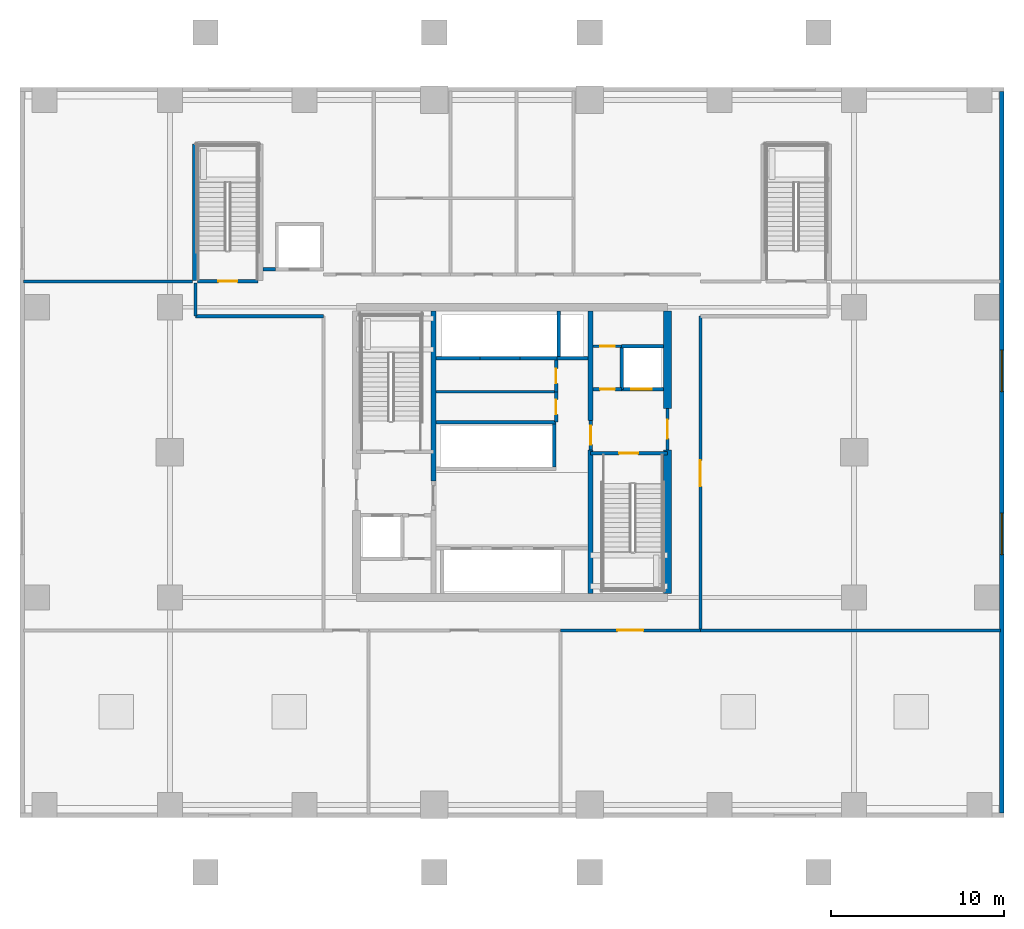
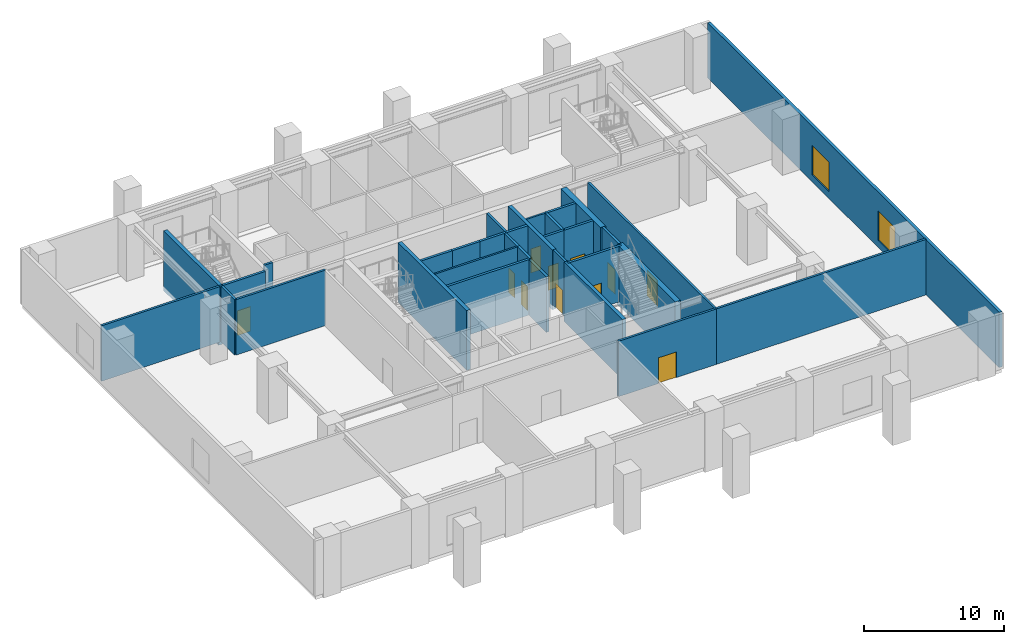
# One storey, part 3 of 12: 33 walls, 11 doors, 2 windows, 13 openings.
"""IFC4 building model written with IfcOpenShell, lengths in metres."""

from ifc_helpers import new_model, si_unit, direction, frame, frame_2d, origin, place, context, subcontext, project, spatial, rectangle, extrude, source, transform, mapped, material, layer, layer_set, type_object, element, fill, save


model = new_model("IFC4")

# Units and contexts
model_context = context("Model", 3, precision=1e-05, world=origin(), true_north=direction((0.0, 1.0)))
body_context = subcontext(model_context, "Body", "Model", "MODEL_VIEW")
ifc_project = project(units=[si_unit("LENGTHUNIT", "METRE"), si_unit("AREAUNIT", "SQUARE_METRE"), si_unit("VOLUMEUNIT", "CUBIC_METRE"), si_unit("PLANEANGLEUNIT", "RADIAN"), si_unit("MASSUNIT", "GRAM", prefix="KILO")], contexts=[model_context])

# Site, building, storey
site_placement = place(None, origin())
site = spatial("IfcSite", under=ifc_project, at=site_placement, CompositionType="ELEMENT")
building_placement = place(site_placement, origin())
building = spatial("IfcBuilding", under=site, at=building_placement, Name="Serunith Strait Residences", CompositionType="ELEMENT")
storey_placement = place(building_placement, frame((0.0, 0.0, 15.300048828125)))
storey = spatial("IfcBuildingStorey", under=building, at=storey_placement, Name="L03", CompositionType="ELEMENT", Elevation=15.300048828125)

# Wall, openings, windows
ifc_material_1 = material(Name="Pale-Silver Aluminium Terracotta-Backed Wall", Category="masonry")
ifc_layer_1 = layer(ifc_material_1, 0.25, Name="Pale-Silver Aluminium Terracotta-Backed Wall")
ifc_layer_set_1 = layer_set([ifc_layer_1], Name="Pale-Silver Aluminium Terracotta-Backed Wall")
wall_type_1 = type_object("IfcWallType", Name="EW-POD-250", PredefinedType="ELEMENTEDWALL", material=ifc_layer_set_1)
wall_1_placement = place(storey_placement, frame((60.75, 4.324951171875, 0.0), z_axis=(0.0, 0.0, 1.0), x_axis=(0.0, 1.0, 0.0)))
wall_1 = element("IfcWall", 1, at=wall_1_placement, inside=storey, type_object=wall_type_1, Name="L03 Podium Envelope Wall 2", PredefinedType="ELEMENTEDWALL", context=body_context, shape_type="SweptSolid", body=[
    extrude(rectangle(XDim=41.75, YDim=0.25, at=frame_2d((20.875, 0.0))), origin(), (0.0, 0.0, 1.0), 4.8349609375),
])
opening_1_placement = place(wall_1_placement, frame((14.952880859375, 0.0, 0.60009765625)))
opening_1 = element("IfcOpeningElement", 2, at=opening_1_placement, cuts=wall_1, Name="Opening W-08", PredefinedType="OPENING", context=body_context, shape_type="SweptSolid", body=[
    extrude(rectangle(XDim=2.39990234375, YDim=2.60009765625, at=frame_2d((1.199951171875, 1.300048828125))), frame((0.0, 0.135009765625, 0.0), z_axis=(0.0, -1.0, 0.0), x_axis=(1.0, 0.0, 0.0)), (0.0, 0.0, 1.0), 0.27001953125),
])
opening_2_placement = place(wall_1_placement, frame((24.39697265625, 0.0, 0.60009765625)))
opening_2 = element("IfcOpeningElement", 3, at=opening_2_placement, cuts=wall_1, Name="Opening W-08", PredefinedType="OPENING", context=body_context, shape_type="SweptSolid", body=[
    extrude(rectangle(XDim=2.39990234375, YDim=2.60009765625, at=frame_2d((1.199951171875, 1.300048828125))), frame((0.0, 0.135009765625, 0.0), z_axis=(0.0, -1.0, 0.0), x_axis=(1.0, 0.0, 0.0)), (0.0, 0.0, 1.0), 0.27001953125),
])
ifc_material_2 = material(Name="Podium Club Operable Window Glass", Category="glass")
window_type = type_object("IfcWindowType", Name="WIN-POD2", PartitioningType="DOUBLE_PANEL_VERTICAL", PredefinedType="WINDOW", material=ifc_material_2)
shared_shape_1 = source(origin(), body_context, "Body", "SweptSolid", [
    extrude(rectangle(XDim=2.39990234375, YDim=2.60009765625, at=frame_2d((1.199951171875, 1.300048828125))), frame((0.0, 0.030029296875, 0.0), z_axis=(0.0, -1.0, 0.0), x_axis=(1.0, 0.0, 0.0)), (0.0, 0.0, 1.0), 0.06005859375),
])
window_1_placement = place(opening_1_placement, origin())
window_1 = element("IfcWindow", 4, at=window_1_placement, inside=storey, type_object=window_type, Name="L03 Podium Window 2A", OverallHeight=2.60009765625, OverallWidth=2.39990234375, PartitioningType="SINGLE_PANEL", PredefinedType="WINDOW", context=body_context, shape_type="MappedRepresentation", body=[
    mapped(shared_shape_1, transform((0.0, 0.0, 0.0), scale=1.0)),
])
fill(opening_1, window_1)
window_2_placement = place(opening_2_placement, origin())
window_2 = element("IfcWindow", 5, at=window_2_placement, inside=storey, type_object=window_type, Name="L03 Podium Window 2B", OverallHeight=2.60009765625, OverallWidth=2.39990234375, PartitioningType="SINGLE_PANEL", PredefinedType="WINDOW", context=body_context, shape_type="MappedRepresentation", body=[
    mapped(shared_shape_1, transform((0.0, 0.0, 0.0), scale=1.0)),
])
fill(opening_2, window_2)

# Wall, opening, door
ifc_material_3 = material(Name="Fire-rated masonry service closet wall", Category="masonry")
ifc_layer_2 = layer(ifc_material_3, 0.14990234375, Name="Fire-rated masonry service closet wall")
ifc_layer_set_2 = layer_set([ifc_layer_2], Name="Fire-rated masonry service closet wall")
wall_type_2 = type_object("IfcWallType", Name="IW-BOH-150", PredefinedType="PARTITIONING", material=ifc_layer_set_2)
wall_2_placement = place(storey_placement, frame((37.10009765625, 31.35009765625, 0.0), z_axis=(0.0, 0.0, 1.0), x_axis=(1.0, 0.0, 0.0)))
wall_2 = element("IfcWall", 6, at=wall_2_placement, inside=storey, type_object=wall_type_2, Name="L03 Partition Wall 013", PredefinedType="PARTITIONING", context=body_context, shape_type="SweptSolid", body=[
    extrude(rectangle(XDim=1.64794921875, YDim=0.14990234375, at=frame_2d((0.823974609375, 0.0))), origin(), (0.0, 0.0, 1.0), 4.849853515625),
])
opening_3_placement = place(wall_2_placement, frame((0.39892578125, 0.0, 0.0)))
opening_3 = element("IfcOpeningElement", 7, at=opening_3_placement, cuts=wall_2, Name="Opening FD-850", PredefinedType="OPENING", context=body_context, shape_type="SweptSolid", body=[
    extrude(rectangle(XDim=0.85009765625, YDim=2.10009765625, at=frame_2d((0.425048828125, 1.050048828125))), frame((0.0, 0.0849609375, 0.0), z_axis=(0.0, -1.0, 0.0), x_axis=(1.0, 0.0, 0.0)), (0.0, 0.0, 1.0), 0.169921875),
])
ifc_material_4 = material(Name="Powder-coated steel service closet door", Category="steel")
door_type_1 = type_object("IfcDoorType", Name="FD-BOH-850", OperationType="NOTDEFINED", PredefinedType="DOOR", material=ifc_material_4)
shared_shape_2 = source(origin(), body_context, "Body", "SweptSolid", [
    extrude(rectangle(XDim=0.85009765625, YDim=2.10009765625, at=frame_2d((0.425048828125, 1.050048828125))), frame((0.0, 0.02490234375, 0.0), z_axis=(0.0, -1.0, 0.0), x_axis=(1.0, 0.0, 0.0)), (0.0, 0.0, 1.0), 0.050048828125),
])
door_1_placement = place(opening_3_placement, origin())
door_1 = element("IfcDoor", 8, at=door_1_placement, inside=storey, type_object=door_type_1, Name="L03 Refuse Store Door", OperationType="SINGLE_SWING_RIGHT", OverallHeight=2.10009765625, OverallWidth=0.85009765625, PredefinedType="DOOR", context=body_context, shape_type="MappedRepresentation", body=[
    mapped(shared_shape_2, transform((0.0, 0.0, 0.0), scale=1.0)),
])
fill(opening_3, door_1)

# Walls
wall_3_placement = place(storey_placement, frame((28.0, 28.699951171875, 0.0), z_axis=(0.0, 0.0, 1.0), x_axis=(1.0, 0.0, 0.0)))
element("IfcWall", 9, at=wall_3_placement, inside=storey, type_object=wall_type_2, Name="L03 Partition Wall 016", PredefinedType="PARTITIONING", context=body_context, shape_type="SweptSolid", body=[
    extrude(rectangle(XDim=6.949951171875, YDim=0.14990234375, at=frame_2d((3.47509765625, 0.0))), origin(), (0.0, 0.0, 1.0), 4.849853515625),
])
ifc_material_5 = material(Name="Fire-rated acoustic gypsum partition")
ifc_layer_3 = layer(ifc_material_5, 0.179931640625, Name="Fire-rated acoustic gypsum partition")
ifc_layer_set_3 = layer_set([ifc_layer_3], Name="Fire-rated acoustic gypsum partition")
wall_type_3 = type_object("IfcWallType", Name="IW-CORR-180", PredefinedType="PARTITIONING", material=ifc_layer_set_3)
wall_4_placement = place(storey_placement, frame((43.300048828125, 14.89990234375, 0.0), z_axis=(0.0, 0.0, 1.0), x_axis=(1.0, 0.0, 0.0)))
element("IfcWall", 10, at=wall_4_placement, inside=storey, type_object=wall_type_3, Name="L03 Partition Wall 018", PredefinedType="PARTITIONING", context=body_context, shape_type="SweptSolid", body=[
    extrude(rectangle(XDim=17.367919921875, YDim=0.179931640625, at=frame_2d((8.68408203125, 0.0))), origin(), (0.0, 0.0, 1.0), 4.849853515625),
])
wall_5_placement = place(storey_placement, frame((4.132080078125, 35.080078125, 0.0), z_axis=(0.0, 0.0, 1.0), x_axis=(1.0, 0.0, 0.0)))
element("IfcWall", 11, at=wall_5_placement, inside=storey, type_object=wall_type_3, Name="L03 Partition Wall 019", PredefinedType="PARTITIONING", context=body_context, shape_type="SweptSolid", body=[
    extrude(rectangle(XDim=9.767822265625, YDim=0.179931640625, at=frame_2d((4.8837890625, 0.0))), origin(), (0.0, 0.0, 1.0), 4.849853515625),
])
wall_6_placement = place(storey_placement, frame((14.080078125, 33.080078125, 0.0), z_axis=(0.0, 0.0, 1.0), x_axis=(1.0, 0.0, 0.0)))
element("IfcWall", 12, at=wall_6_placement, inside=storey, type_object=wall_type_3, Name="L03 Partition Wall 020", PredefinedType="PARTITIONING", context=body_context, shape_type="SweptSolid", body=[
    extrude(rectangle(XDim=7.419921875, YDim=0.179931640625, at=frame_2d((3.7099609375, 0.0))), origin(), (0.0, 0.0, 1.0), 4.849853515625),
])
wall_7_placement = place(storey_placement, frame((18.0, 35.800048828125, 0.0), z_axis=(0.0, 0.0, 1.0), x_axis=(1.0, 0.0, 0.0)))
element("IfcWall", 13, at=wall_7_placement, inside=storey, type_object=wall_type_3, Name="L03 Partition Wall 021", PredefinedType="PARTITIONING", context=body_context, shape_type="SweptSolid", body=[
    extrude(rectangle(XDim=0.697998046875, YDim=0.179931640625, at=frame_2d((0.34912109375, 0.0))), origin(), (0.0, 0.0, 1.0), 4.849853515625),
])
wall_8_placement = place(storey_placement, frame((14.080078125, 33.080078125, 0.0), z_axis=(0.0, 0.0, 1.0), x_axis=(0.0, 1.0, 0.0)))
element("IfcWall", 14, at=wall_8_placement, inside=storey, type_object=wall_type_3, Name="L03 Partition Wall 025", PredefinedType="PARTITIONING", context=body_context, shape_type="SweptSolid", body=[
    extrude(rectangle(XDim=1.919921875, YDim=0.179931640625, at=frame_2d((0.9599609375, 0.0))), origin(), (0.0, 0.0, 1.0), 4.849853515625),
])

# Wall, opening, door
wall_9_placement = place(storey_placement, frame((43.300048828125, 14.89990234375, 0.0), z_axis=(0.0, 0.0, 1.0), x_axis=(0.0, 1.0, 0.0)))
wall_9 = element("IfcWall", 15, at=wall_9_placement, inside=storey, type_object=wall_type_3, Name="L03 Partition Wall 028", PredefinedType="PARTITIONING", context=body_context, shape_type="SweptSolid", body=[
    extrude(rectangle(XDim=18.18017578125, YDim=0.179931640625, at=frame_2d((9.090087890625, 0.0))), origin(), (0.0, 0.0, 1.0), 4.849853515625),
])
opening_4_placement = place(wall_9_placement, frame((8.340087890625, 0.0, 0.0)))
opening_4 = element("IfcOpeningElement", 16, at=opening_4_placement, cuts=wall_9, Name="Opening D-POD1500", PredefinedType="OPENING", context=body_context, shape_type="SweptSolid", body=[
    extrude(rectangle(XDim=1.5, YDim=2.25, at=frame_2d((0.75, 1.125))), frame((0.0, 0.10009765625, 0.0), z_axis=(0.0, -1.0, 0.0), x_axis=(1.0, 0.0, 0.0)), (0.0, 0.0, 1.0), 0.199951171875),
])
ifc_material_6 = material(Name="Pale-champagne aluminium glazed double door", Category="aluminium")
door_type_2 = type_object("IfcDoorType", Name="ID-POD-1500", OperationType="DOUBLE_DOOR_SINGLE_SWING", PredefinedType="DOOR", material=ifc_material_6)
shared_shape_3 = source(origin(), body_context, "Body", "SweptSolid", [
    extrude(rectangle(XDim=1.5, YDim=2.25, at=frame_2d((0.75, 1.125))), frame((0.0, 0.02490234375, 0.0), z_axis=(0.0, -1.0, 0.0), x_axis=(1.0, 0.0, 0.0)), (0.0, 0.0, 1.0), 0.050048828125),
])
door_2_placement = place(opening_4_placement, origin())
door_2 = element("IfcDoor", 17, at=door_2_placement, inside=storey, type_object=door_type_2, Name="L03 East Wing Suite Door", OperationType="DOUBLE_DOOR_SINGLE_SWING", OverallHeight=2.25, OverallWidth=1.5, PredefinedType="DOOR", context=body_context, shape_type="MappedRepresentation", body=[
    mapped(shared_shape_3, transform((0.0, 0.0, 0.0), scale=1.0)),
])
fill(opening_4, door_2)

wall_10_placement = place(storey_placement, frame((35.201904296875, 14.89990234375, 0.0), z_axis=(0.0, 0.0, 1.0), x_axis=(1.0, 0.0, 0.0)))
wall_10 = element("IfcWall", 18, at=wall_10_placement, inside=storey, type_object=wall_type_3, Name="L03 Partition Wall 035", PredefinedType="PARTITIONING", context=body_context, shape_type="SweptSolid", body=[
    extrude(rectangle(XDim=8.09619140625, YDim=0.179931640625, at=frame_2d((4.048095703125, 0.0))), origin(), (0.0, 0.0, 1.0), 4.849853515625),
])
opening_5_placement = place(wall_10_placement, frame((3.298095703125, 0.0, 0.0)))
opening_5 = element("IfcOpeningElement", 19, at=opening_5_placement, cuts=wall_10, Name="Opening D-POD1500", PredefinedType="OPENING", context=body_context, shape_type="SweptSolid", body=[
    extrude(rectangle(XDim=1.5, YDim=2.25, at=frame_2d((0.75, 1.125))), frame((0.0, 0.10009765625, 0.0), z_axis=(0.0, -1.0, 0.0), x_axis=(1.0, 0.0, 0.0)), (0.0, 0.0, 1.0), 0.199951171875),
])
door_3_placement = place(opening_5_placement, origin())
door_3 = element("IfcDoor", 20, at=door_3_placement, inside=storey, type_object=door_type_2, Name="L03 South-East Suite Door", OperationType="DOUBLE_DOOR_SINGLE_SWING", OverallHeight=2.25, OverallWidth=1.5, PredefinedType="DOOR", context=body_context, shape_type="MappedRepresentation", body=[
    mapped(shared_shape_3, transform((0.0, 0.0, 0.0), scale=1.0)),
])
fill(opening_5, door_3)

ifc_material_7 = material(Name="Autoclaved aerated concrete blockwork", Category="masonry")
ifc_layer_4 = layer(ifc_material_7, 0.199951171875, Name="Autoclaved aerated concrete blockwork")
ifc_layer_set_4 = layer_set([ifc_layer_4], Name="Autoclaved aerated concrete blockwork")
wall_type_4 = type_object("IfcWallType", Name="IW-SHAFT-200", PredefinedType="STANDARD", material=ifc_layer_set_4)
wall_11_placement = place(storey_placement, frame((36.949951171875, 25.14990234375, 0.0), z_axis=(0.0, 0.0, 1.0), x_axis=(1.0, 0.0, 0.0)))
wall_11 = element("IfcWall", 21, at=wall_11_placement, inside=storey, type_object=wall_type_4, Name="L03 ST-2 North Shaft Wall", PredefinedType="STANDARD", context=body_context, shape_type="SweptSolid", body=[
    extrude(rectangle(XDim=4.449951171875, YDim=0.199951171875, at=frame_2d((2.22509765625, 0.0))), origin(), (0.0, 0.0, 1.0), 4.849853515625),
])
opening_6_placement = place(wall_11_placement, frame((1.64990234375, 0.0, 0.0)))
opening_6 = element("IfcOpeningElement", 22, at=opening_6_placement, cuts=wall_11, Name="Opening FD-1100", PredefinedType="OPENING", context=body_context, shape_type="SweptSolid", body=[
    extrude(rectangle(XDim=1.10009765625, YDim=2.14990234375, at=frame_2d((0.550048828125, 1.074951171875))), frame((0.0, 0.10986328125, 0.0), z_axis=(0.0, -1.0, 0.0), x_axis=(1.0, 0.0, 0.0)), (0.0, 0.0, 1.0), 0.219970703125),
])
ifc_material_8 = material(Name="Galvanised steel fire door leaf", Category="steel")
door_type_3 = type_object("IfcDoorType", Name="FD-STAIR-1100", OperationType="NOTDEFINED", PredefinedType="DOOR", material=ifc_material_8)
shared_shape_4 = source(origin(), body_context, "Body", "SweptSolid", [
    extrude(rectangle(XDim=1.10009765625, YDim=2.14990234375, at=frame_2d((0.550048828125, 1.074951171875))), frame((0.0, 0.02490234375, 0.0), z_axis=(0.0, -1.0, 0.0), x_axis=(1.0, 0.0, 0.0)), (0.0, 0.0, 1.0), 0.050048828125),
])
door_4_placement = place(opening_6_placement, origin())
door_4 = element("IfcDoor", 23, at=door_4_placement, inside=storey, type_object=door_type_3, Name="L03 ST-2 Escape Stair Door", OperationType="SINGLE_SWING_RIGHT", OverallHeight=2.14990234375, OverallWidth=1.10009765625, PredefinedType="DOOR", context=body_context, shape_type="MappedRepresentation", body=[
    mapped(shared_shape_4, transform((0.0, 0.0, 0.0), scale=1.0)),
])
fill(opening_6, door_4)

wall_12_placement = place(storey_placement, frame((14.199951171875, 35.10009765625, 0.0), z_axis=(0.0, 0.0, 1.0), x_axis=(1.0, 0.0, 0.0)))
wall_12 = element("IfcWall", 24, at=wall_12_placement, inside=storey, type_object=wall_type_4, Name="L03 ST-3 South Shaft Wall", PredefinedType="STANDARD", context=body_context, shape_type="SweptSolid", body=[
    extrude(rectangle(XDim=3.5, YDim=0.199951171875, at=frame_2d((1.75, 0.0))), origin(), (0.0, 0.0, 1.0), 4.849853515625),
])
opening_7_placement = place(wall_12_placement, frame((1.199951171875, 0.0, 0.0)))
opening_7 = element("IfcOpeningElement", 25, at=opening_7_placement, cuts=wall_12, Name="Opening FD-1100", PredefinedType="OPENING", context=body_context, shape_type="SweptSolid", body=[
    extrude(rectangle(XDim=1.10009765625, YDim=2.14990234375, at=frame_2d((0.550048828125, 1.074951171875))), frame((0.0, 0.10986328125, 0.0), z_axis=(0.0, -1.0, 0.0), x_axis=(1.0, 0.0, 0.0)), (0.0, 0.0, 1.0), 0.219970703125),
])
door_5_placement = place(opening_7_placement, origin())
door_5 = element("IfcDoor", 26, at=door_5_placement, inside=storey, type_object=door_type_3, Name="L03 ST-3 Escape Stair Door", OperationType="SINGLE_SWING_LEFT", OverallHeight=2.14990234375, OverallWidth=1.10009765625, PredefinedType="DOOR", context=body_context, shape_type="MappedRepresentation", body=[
    mapped(shared_shape_4, transform((0.0, 0.0, 0.0), scale=1.0)),
])
fill(opening_7, door_5)

wall_13_placement = place(storey_placement, frame((38.75, 28.85009765625, 0.0), z_axis=(0.0, 0.0, 1.0), x_axis=(1.0, 0.0, 0.0)))
wall_13 = element("IfcWall", 27, at=wall_13_placement, inside=storey, type_object=wall_type_4, Name="L03 FL-2 South Shaft Wall", PredefinedType="STANDARD", context=body_context, shape_type="SweptSolid", body=[
    extrude(rectangle(XDim=2.425048828125, YDim=0.199951171875, at=frame_2d((1.21240234375, 0.0))), origin(), (0.0, 0.0, 1.0), 4.849853515625),
])
opening_8_placement = place(wall_13_placement, frame((0.550048828125, 0.0, 0.0)))
opening_8 = element("IfcOpeningElement", 28, at=opening_8_placement, cuts=wall_13, Name="Opening LD-FF1200", PredefinedType="OPENING", context=body_context, shape_type="SweptSolid", body=[
    extrude(rectangle(XDim=1.199951171875, YDim=2.199951171875, at=frame_2d((0.60009765625, 1.10009765625))), frame((0.0, 0.10986328125, 0.0), z_axis=(0.0, -1.0, 0.0), x_axis=(1.0, 0.0, 0.0)), (0.0, 0.0, 1.0), 0.219970703125),
])
ifc_material_9 = material(Name="Brushed stainless steel landing door", Category="steel")
door_type_4 = type_object("IfcDoorType", Name="LD-FF-1200", OperationType="DOUBLE_DOOR_SLIDING", PredefinedType="DOOR", material=ifc_material_9)
shared_shape_5 = source(origin(), body_context, "Body", "SweptSolid", [
    extrude(rectangle(XDim=1.199951171875, YDim=2.199951171875, at=frame_2d((0.60009765625, 1.10009765625))), frame((0.0, 0.02490234375, 0.0), z_axis=(0.0, -1.0, 0.0), x_axis=(1.0, 0.0, 0.0)), (0.0, 0.0, 1.0), 0.050048828125),
])
door_6_placement = place(opening_8_placement, origin())
door_6 = element("IfcDoor", 29, at=door_6_placement, inside=storey, type_object=door_type_4, Name="L03 FL-2 Landing Door", OperationType="DOUBLE_DOOR_SLIDING", OverallHeight=2.199951171875, OverallWidth=1.199951171875, PredefinedType="DOOR", context=body_context, shape_type="MappedRepresentation", body=[
    mapped(shared_shape_5, transform((0.0, 0.0, 0.0), scale=1.0)),
])
fill(opening_8, door_6)

# Walls
wall_14_placement = place(storey_placement, frame((34.85009765625, 24.35009765625, 0.0), z_axis=(0.0, 0.0, 1.0), x_axis=(0.0, 1.0, 0.0)))
element("IfcWall", 30, at=wall_14_placement, inside=storey, type_object=wall_type_4, Name="L03 PL-6 East Shaft Wall", PredefinedType="STANDARD", context=body_context, shape_type="SweptSolid", body=[
    extrude(rectangle(XDim=2.5, YDim=0.199951171875, at=frame_2d((1.25, 0.0))), origin(), (0.0, 0.0, 1.0), 4.849853515625),
])
wall_15_placement = place(storey_placement, frame((28.0, 30.64990234375, 0.0), z_axis=(0.0, 0.0, 1.0), x_axis=(1.0, 0.0, 0.0)))
element("IfcWall", 31, at=wall_15_placement, inside=storey, type_object=wall_type_4, Name="L03 PL-7 South Shaft Wall", PredefinedType="STANDARD", context=body_context, shape_type="SweptSolid", body=[
    extrude(rectangle(XDim=2.550048828125, YDim=0.199951171875, at=frame_2d((1.27490234375, 0.0))), origin(), (0.0, 0.0, 1.0), 4.849853515625),
])
wall_16_placement = place(storey_placement, frame((30.550048828125, 30.64990234375, 0.0), z_axis=(0.0, 0.0, 1.0), x_axis=(1.0, 0.0, 0.0)))
element("IfcWall", 32, at=wall_16_placement, inside=storey, type_object=wall_type_4, Name="L03 PL-8 South Shaft Wall", PredefinedType="STANDARD", context=body_context, shape_type="SweptSolid", body=[
    extrude(rectangle(XDim=2.300048828125, YDim=0.199951171875, at=frame_2d((1.14990234375, 0.0))), origin(), (0.0, 0.0, 1.0), 4.849853515625),
])
wall_17_placement = place(storey_placement, frame((32.85009765625, 30.64990234375, 0.0), z_axis=(0.0, 0.0, 1.0), x_axis=(1.0, 0.0, 0.0)))
element("IfcWall", 33, at=wall_17_placement, inside=storey, type_object=wall_type_4, Name="L03 PL-9 South Shaft Wall", PredefinedType="STANDARD", context=body_context, shape_type="SweptSolid", body=[
    extrude(rectangle(XDim=2.14990234375, YDim=0.199951171875, at=frame_2d((1.074951171875, 0.0))), origin(), (0.0, 0.0, 1.0), 4.849853515625),
])
wall_18_placement = place(storey_placement, frame((35.0, 30.64990234375, 0.0), z_axis=(0.0, 0.0, 1.0), x_axis=(1.0, 0.0, 0.0)))
element("IfcWall", 34, at=wall_18_placement, inside=storey, type_object=wall_type_4, Name="L03 SL-1 South Shaft Wall", PredefinedType="STANDARD", context=body_context, shape_type="SweptSolid", body=[
    extrude(rectangle(XDim=1.800048828125, YDim=0.199951171875, at=frame_2d((0.89990234375, 0.0))), origin(), (0.0, 0.0, 1.0), 4.849853515625),
])
wall_19_placement = place(storey_placement, frame((35.10009765625, 30.75, 0.0), z_axis=(0.0, 0.0, 1.0), x_axis=(0.0, 1.0, 0.0)))
element("IfcWall", 35, at=wall_19_placement, inside=storey, type_object=wall_type_4, Name="L03 SL-1 West Shaft Wall", PredefinedType="STANDARD", context=body_context, shape_type="SweptSolid", body=[
    extrude(rectangle(XDim=2.625, YDim=0.199951171875, at=frame_2d((1.3125, 0.0))), origin(), (0.0, 0.0, 1.0), 4.849853515625),
])
wall_20_placement = place(storey_placement, frame((38.75, 28.85009765625, 0.0), z_axis=(0.0, 0.0, 1.0), x_axis=(0.0, 1.0, 0.0)))
element("IfcWall", 36, at=wall_20_placement, inside=storey, type_object=wall_type_4, Name="L03 Partition Wall 004", PredefinedType="STANDARD", context=body_context, shape_type="SweptSolid", body=[
    extrude(rectangle(XDim=2.5, YDim=0.199951171875, at=frame_2d((1.25, 0.0))), origin(), (0.0, 0.0, 1.0), 4.849853515625),
])
wall_21_placement = place(storey_placement, frame((38.75, 31.35009765625, 0.0), z_axis=(0.0, 0.0, 1.0), x_axis=(1.0, 0.0, 0.0)))
element("IfcWall", 37, at=wall_21_placement, inside=storey, type_object=wall_type_4, Name="L03 Partition Wall 005", PredefinedType="STANDARD", context=body_context, shape_type="SweptSolid", body=[
    extrude(rectangle(XDim=2.425048828125, YDim=0.199951171875, at=frame_2d((1.21240234375, 0.0))), origin(), (0.0, 0.0, 1.0), 4.849853515625),
])

# Wall, opening, door
wall_22_placement = place(storey_placement, frame((37.10009765625, 28.85009765625, 0.0), z_axis=(0.0, 0.0, 1.0), x_axis=(1.0, 0.0, 0.0)))
wall_22 = element("IfcWall", 38, at=wall_22_placement, inside=storey, type_object=wall_type_4, Name="L03 Partition Wall 006", PredefinedType="STANDARD", context=body_context, shape_type="SweptSolid", body=[
    extrude(rectangle(XDim=1.64794921875, YDim=0.199951171875, at=frame_2d((0.823974609375, 0.0))), origin(), (0.0, 0.0, 1.0), 4.849853515625),
])
opening_9_placement = place(wall_22_placement, frame((0.39892578125, 0.0, 0.0)))
opening_9 = element("IfcOpeningElement", 39, at=opening_9_placement, cuts=wall_22, Name="Opening FD-850", PredefinedType="OPENING", context=body_context, shape_type="SweptSolid", body=[
    extrude(rectangle(XDim=0.85009765625, YDim=2.10009765625, at=frame_2d((0.425048828125, 1.050048828125))), frame((0.0, 0.10986328125, 0.0), z_axis=(0.0, -1.0, 0.0), x_axis=(1.0, 0.0, 0.0)), (0.0, 0.0, 1.0), 0.219970703125),
])
door_7_placement = place(opening_9_placement, origin())
door_7 = element("IfcDoor", 40, at=door_7_placement, inside=storey, type_object=door_type_1, Name="L03 North-East Core Service Door", OperationType="SINGLE_SWING_RIGHT", OverallHeight=2.10009765625, OverallWidth=0.85009765625, PredefinedType="DOOR", context=body_context, shape_type="MappedRepresentation", body=[
    mapped(shared_shape_2, transform((0.0, 0.0, 0.0), scale=1.0)),
])
fill(opening_9, door_7)

wall_23_placement = place(storey_placement, frame((41.39990234375, 25.35205078125, 0.0), z_axis=(0.0, 0.0, 1.0), x_axis=(0.0, 1.0, 0.0)))
wall_23 = element("IfcWall", 41, at=wall_23_placement, inside=storey, type_object=wall_type_4, Name="L03 Partition Wall 008", PredefinedType="STANDARD", context=body_context, shape_type="SweptSolid", body=[
    extrude(rectangle(XDim=2.39599609375, YDim=0.199951171875, at=frame_2d((1.197998046875, 0.0))), origin(), (0.0, 0.0, 1.0), 4.849853515625),
])
opening_10_placement = place(wall_23_placement, frame((0.64794921875, 0.0, 0.0)))
opening_10 = element("IfcOpeningElement", 42, at=opening_10_placement, cuts=wall_23, Name="Opening FD-FFL", PredefinedType="OPENING", context=body_context, shape_type="SweptSolid", body=[
    extrude(rectangle(XDim=1.10009765625, YDim=2.14990234375, at=frame_2d((0.550048828125, 1.074951171875))), frame((0.0, 0.10986328125, 0.0), z_axis=(0.0, -1.0, 0.0), x_axis=(1.0, 0.0, 0.0)), (0.0, 0.0, 1.0), 0.219970703125),
])
ifc_material_10 = material(Name="Glazed steel smoke-lobby fire door", Category="steel")
door_type_5 = type_object("IfcDoorType", Name="FD-FFL-1100", OperationType="NOTDEFINED", PredefinedType="DOOR", material=ifc_material_10)
door_8_placement = place(opening_10_placement, origin())
door_8 = element("IfcDoor", 43, at=door_8_placement, inside=storey, type_object=door_type_5, Name="L03 FFL-2 Corridor Fire Door", OperationType="SINGLE_SWING_RIGHT", OverallHeight=2.14990234375, OverallWidth=1.10009765625, PredefinedType="DOOR", context=body_context, shape_type="MappedRepresentation", body=[
    mapped(shared_shape_4, transform((0.0, 0.0, 0.0), scale=1.0)),
])
fill(opening_10, door_8)

wall_24_placement = place(storey_placement, frame((36.949951171875, 25.35205078125, 0.0), z_axis=(0.0, 0.0, 1.0), x_axis=(0.0, 1.0, 0.0)))
wall_24 = element("IfcWall", 44, at=wall_24_placement, inside=storey, type_object=wall_type_4, Name="L03 Partition Wall 010", PredefinedType="STANDARD", context=body_context, shape_type="SweptSolid", body=[
    extrude(rectangle(XDim=1.696044921875, YDim=0.199951171875, at=frame_2d((0.84814453125, 0.0))), origin(), (0.0, 0.0, 1.0), 4.849853515625),
])
opening_11_placement = place(wall_24_placement, frame((0.298095703125, 0.0, 0.0)))
opening_11 = element("IfcOpeningElement", 45, at=opening_11_placement, cuts=wall_24, Name="Opening FD-FFL", PredefinedType="OPENING", context=body_context, shape_type="SweptSolid", body=[
    extrude(rectangle(XDim=1.10009765625, YDim=2.14990234375, at=frame_2d((0.550048828125, 1.074951171875))), frame((0.0, 0.10986328125, 0.0), z_axis=(0.0, -1.0, 0.0), x_axis=(1.0, 0.0, 0.0)), (0.0, 0.0, 1.0), 0.219970703125),
])
door_9_placement = place(opening_11_placement, origin())
door_9 = element("IfcDoor", 46, at=door_9_placement, inside=storey, type_object=door_type_5, Name="L03 FFL-2 Lift Lobby Door", OperationType="SINGLE_SWING_RIGHT", OverallHeight=2.14990234375, OverallWidth=1.10009765625, PredefinedType="DOOR", context=body_context, shape_type="MappedRepresentation", body=[
    mapped(shared_shape_4, transform((0.0, 0.0, 0.0), scale=1.0)),
])
fill(opening_11, door_9)

# Wall
wall_25_placement = place(storey_placement, frame((28.0, 26.949951171875, 0.0), z_axis=(0.0, 0.0, 1.0), x_axis=(1.0, 0.0, 0.0)))
element("IfcWall", 47, at=wall_25_placement, inside=storey, type_object=wall_type_4, Name="L03 Partition Wall 011", PredefinedType="STANDARD", context=body_context, shape_type="SweptSolid", body=[
    extrude(rectangle(XDim=6.949951171875, YDim=0.199951171875, at=frame_2d((3.47509765625, 0.0))), origin(), (0.0, 0.0, 1.0), 4.849853515625),
])

# Wall, opening, door
wall_26_placement = place(storey_placement, frame((34.949951171875, 26.949951171875, 0.0), z_axis=(0.0, 0.0, 1.0), x_axis=(0.0, 1.0, 0.0)))
wall_26 = element("IfcWall", 48, at=wall_26_placement, inside=storey, type_object=wall_type_4, Name="L03 Partition Wall 014", PredefinedType="STANDARD", context=body_context, shape_type="SweptSolid", body=[
    extrude(rectangle(XDim=1.75, YDim=0.199951171875, at=frame_2d((0.875, 0.0))), origin(), (0.0, 0.0, 1.0), 4.849853515625),
])
opening_12_placement = place(wall_26_placement, frame((0.449951171875, 0.0, 0.0)))
opening_12 = element("IfcOpeningElement", 49, at=opening_12_placement, cuts=wall_26, Name="Opening FD-850", PredefinedType="OPENING", context=body_context, shape_type="SweptSolid", body=[
    extrude(rectangle(XDim=0.85009765625, YDim=2.10009765625, at=frame_2d((0.425048828125, 1.050048828125))), frame((0.0, 0.10986328125, 0.0), z_axis=(0.0, -1.0, 0.0), x_axis=(1.0, 0.0, 0.0)), (0.0, 0.0, 1.0), 0.219970703125),
])
door_10_placement = place(opening_12_placement, origin())
door_10 = element("IfcDoor", 50, at=door_10_placement, inside=storey, type_object=door_type_1, Name="L03 Chilled Water Pump Door", OperationType="SINGLE_SWING_LEFT", OverallHeight=2.10009765625, OverallWidth=0.85009765625, PredefinedType="DOOR", context=body_context, shape_type="MappedRepresentation", body=[
    mapped(shared_shape_2, transform((0.0, 0.0, 0.0), scale=1.0)),
])
fill(opening_12, door_10)

wall_27_placement = place(storey_placement, frame((34.949951171875, 28.701904296875, 0.0), z_axis=(0.0, 0.0, 1.0), x_axis=(0.0, 1.0, 0.0)))
wall_27 = element("IfcWall", 51, at=wall_27_placement, inside=storey, type_object=wall_type_4, Name="L03 Partition Wall 015", PredefinedType="STANDARD", context=body_context, shape_type="SweptSolid", body=[
    extrude(rectangle(XDim=1.84814453125, YDim=0.199951171875, at=frame_2d((0.924072265625, 0.0))), origin(), (0.0, 0.0, 1.0), 4.849853515625),
])
opening_13_placement = place(wall_27_placement, frame((0.4990234375, 0.0, 0.0)))
opening_13 = element("IfcOpeningElement", 52, at=opening_13_placement, cuts=wall_27, Name="Opening FD-850", PredefinedType="OPENING", context=body_context, shape_type="SweptSolid", body=[
    extrude(rectangle(XDim=0.85009765625, YDim=2.10009765625, at=frame_2d((0.425048828125, 1.050048828125))), frame((0.0, 0.10986328125, 0.0), z_axis=(0.0, -1.0, 0.0), x_axis=(1.0, 0.0, 0.0)), (0.0, 0.0, 1.0), 0.219970703125),
])
door_11_placement = place(opening_13_placement, origin())
door_11 = element("IfcDoor", 53, at=door_11_placement, inside=storey, type_object=door_type_1, Name="L03 Smoke Control Fan Door", OperationType="SINGLE_SWING_RIGHT", OverallHeight=2.10009765625, OverallWidth=0.85009765625, PredefinedType="DOOR", context=body_context, shape_type="MappedRepresentation", body=[
    mapped(shared_shape_2, transform((0.0, 0.0, 0.0), scale=1.0)),
])
fill(opening_13, door_11)

# Walls
ifc_material_11 = material(Name="Concrete C60/75", Category="concrete")
ifc_layer_5 = layer(ifc_material_11, 0.300048828125, Name="Concrete C60/75")
ifc_layer_set_5 = layer_set([ifc_layer_5], Name="Concrete C60/75")
wall_type_5 = type_object("IfcWallType", Name="SW-300-C60", PredefinedType="SHEAR", material=ifc_layer_set_5)
wall_28_placement = place(storey_placement, frame((14.050048828125, 35.14990234375, -0.380126953125), z_axis=(0.0, 0.0, 1.0), x_axis=(0.0, 1.0, 0.0)))
element("IfcWall", 54, at=wall_28_placement, inside=storey, type_object=wall_type_5, Name="L03 ST-3 West Structural Shaft Wall", PredefinedType="SHEAR", context=body_context, shape_type="SweptSolid", body=[
    extrude(rectangle(XDim=7.900146484375, YDim=0.300048828125, at=frame_2d((3.9501953125, 0.0))), origin(), (0.0, 0.0, 1.0), 5.22802734375),
])
ifc_material_12 = material(Name="Concrete C80/95", Category="concrete")
ifc_layer_6 = layer(ifc_material_12, 0.300048828125, Name="Concrete C80/95")
ifc_layer_set_6 = layer_set([ifc_layer_6], Name="Concrete C80/95")
wall_type_6 = type_object("IfcWallType", Name="SW-300-C80", PredefinedType="SHEAR", material=ifc_layer_set_6)
wall_29_placement = place(storey_placement, frame((27.85009765625, 23.550048828125, -0.380126953125), z_axis=(0.0, 0.0, 1.0), x_axis=(0.0, 1.0, 0.0)))
element("IfcWall", 55, at=wall_29_placement, inside=storey, type_object=wall_type_6, Name="L03 Core Internal West Web North Pier", PredefinedType="SHEAR", context=body_context, shape_type="SweptSolid", body=[
    extrude(rectangle(XDim=9.824951171875, YDim=0.300048828125, at=frame_2d((4.91259765625, 0.0))), origin(), (0.0, 0.0, 1.0), 5.22802734375),
])
wall_30_placement = place(storey_placement, frame((36.949951171875, 17.02490234375, -0.380126953125), z_axis=(0.0, 0.0, 1.0), x_axis=(0.0, 1.0, 0.0)))
element("IfcWall", 56, at=wall_30_placement, inside=storey, type_object=wall_type_6, Name="L03 Core Internal East Web South Pier", PredefinedType="SHEAR", context=body_context, shape_type="SweptSolid", body=[
    extrude(rectangle(XDim=8.3251953125, YDim=0.300048828125, at=frame_2d((4.16259765625, 0.0))), origin(), (0.0, 0.0, 1.0), 5.22802734375),
])
wall_31_placement = place(storey_placement, frame((36.949951171875, 27.050048828125, -0.380126953125), z_axis=(0.0, 0.0, 1.0), x_axis=(0.0, 1.0, 0.0)))
element("IfcWall", 57, at=wall_31_placement, inside=storey, type_object=wall_type_6, Name="L03 Core Internal East Web North Pier", PredefinedType="SHEAR", context=body_context, shape_type="SweptSolid", body=[
    extrude(rectangle(XDim=6.324951171875, YDim=0.300048828125, at=frame_2d((3.16259765625, 0.0))), origin(), (0.0, 0.0, 1.0), 5.22802734375),
])
ifc_layer_7 = layer(ifc_material_12, 0.449951171875, Name="Concrete C80/95")
ifc_layer_set_7 = layer_set([ifc_layer_7], Name="Concrete C80/95")
wall_type_7 = type_object("IfcWallType", Name="SW-450-C80", PredefinedType="SHEAR", material=ifc_layer_set_7)
wall_32_placement = place(storey_placement, frame((41.39990234375, 17.02490234375, -0.380126953125), z_axis=(0.0, 0.0, 1.0), x_axis=(0.0, 1.0, 0.0)))
element("IfcWall", 58, at=wall_32_placement, inside=storey, type_object=wall_type_7, Name="L03 Core East Shear Wall South Pier", PredefinedType="SHEAR", context=body_context, shape_type="SweptSolid", body=[
    extrude(rectangle(XDim=8.3251953125, YDim=0.449951171875, at=frame_2d((4.16259765625, 0.0))), origin(), (0.0, 0.0, 1.0), 5.22802734375),
])
wall_33_placement = place(storey_placement, frame((41.39990234375, 27.75, -0.380126953125), z_axis=(0.0, 0.0, 1.0), x_axis=(0.0, 1.0, 0.0)))
element("IfcWall", 59, at=wall_33_placement, inside=storey, type_object=wall_type_7, Name="L03 Core East Shear Wall North Pier", PredefinedType="SHEAR", context=body_context, shape_type="SweptSolid", body=[
    extrude(rectangle(XDim=5.625, YDim=0.449951171875, at=frame_2d((2.8125, 0.0))), origin(), (0.0, 0.0, 1.0), 5.22802734375),
])

save(model, "model.ifc")
